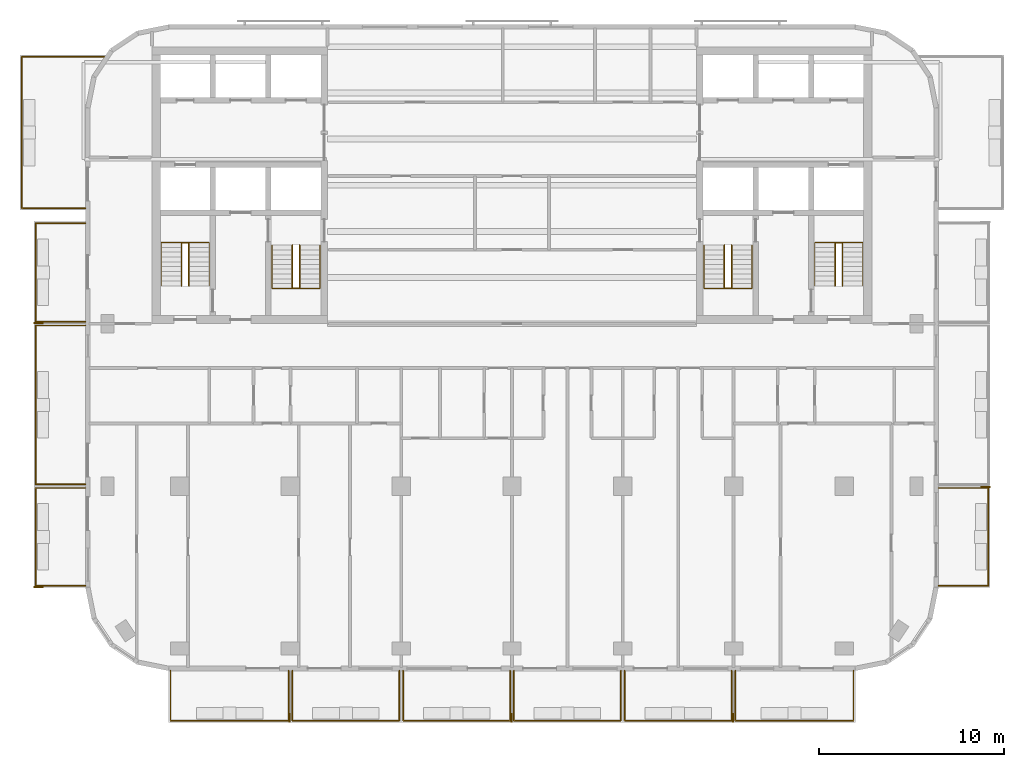
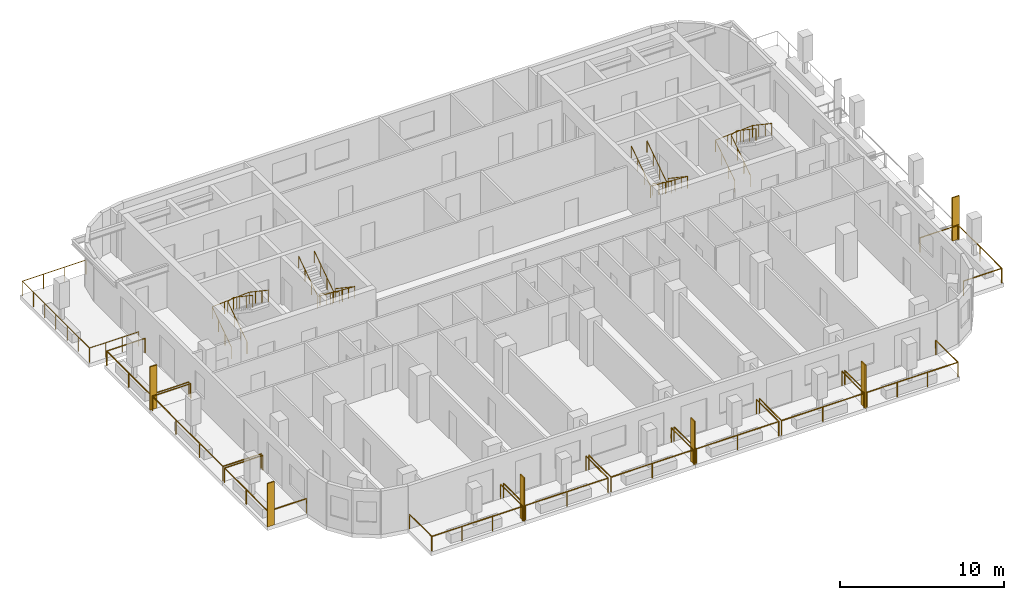
# One storey, part 9 of 11: 19 railings, 6 shading devices.
"""IFC4 building model written with IfcOpenShell, lengths in metres."""

import ifcopenshell
import ifcopenshell.guid

model = None  # the IFC model being written
_history = None  # IfcOwnerHistory: only IFC2X3 demands one
_inside = {}  # id of a spatial element -> (the spatial element, [elements in it])
_under = {}  # id of a project, library or spatial element -> (it, [spatial elements below it])
_declared = {}  # id of a project -> (the project, [libraries it declares])
_typed = {}  # id of a type object -> (the type object, [elements of that type])
_made_of = {}  # id of a material, layer set ... -> (it, [elements and type objects made of it])


def new_model(schema):
    """Start an empty IFC model of exactly this schema.

    Asked for "IFC4X3", IfcOpenShell would pick the latest addendum, in which some entities
    have other attributes; the version numbers below select the first issue.
    IFC2X3 requires an IfcOwnerHistory on every rooted entity: one is made here for all.
    """
    global model, _history
    if schema == "IFC4X3":
        model = ifcopenshell.file(schema_version=(4, 3, 0, 0))
    else:
        model = ifcopenshell.file(schema=schema)
    _inside.clear()
    _under.clear()
    _declared.clear()
    _typed.clear()
    _made_of.clear()
    _history = None
    if model.schema == "IFC2X3":
        org = make("IfcOrganization", Name="unknown")
        user = make(
            "IfcPersonAndOrganization",
            ThePerson=make("IfcPerson", FamilyName="unknown"),
            TheOrganization=org,
        )
        app = make(
            "IfcApplication",
            ApplicationDeveloper=org,
            Version="unknown",
            ApplicationFullName="unknown",
            ApplicationIdentifier="unknown",
        )
        _history = make(
            "IfcOwnerHistory",
            OwningUser=user,
            OwningApplication=app,
            ChangeAction="ADDED",
            CreationDate=0,
        )
    return model


def make(cls, **values):
    """One entity of the class cls with the attributes given. An attribute that is None is left unset."""
    return model.create_entity(
        cls, **{name: value for name, value in values.items() if value is not None}
    )


def rooted(cls, **values):
    """An entity with a GlobalId (a new one), such as an element, a storey or a relation."""
    return make(cls, GlobalId=ifcopenshell.guid.new(), OwnerHistory=_history, **values)


def si_unit(unit_type, name, prefix=None):
    """IfcSIUnit, for example si_unit("LENGTHUNIT", "METRE", prefix="MILLI")."""
    return make("IfcSIUnit", UnitType=unit_type, Prefix=prefix, Name=name)


def assignment(units):
    """IfcUnitAssignment: the units of a project."""
    return None if units is None else make("IfcUnitAssignment", Units=units)


def point(xyz):
    """IfcCartesianPoint."""
    return None if xyz is None else make("IfcCartesianPoint", Coordinates=xyz)


def direction(xyz):
    """IfcDirection."""
    return None if xyz is None else make("IfcDirection", DirectionRatios=xyz)


def frame(location, z_axis=None, x_axis=None):
    """IfcAxis2Placement3D, a coordinate frame: its origin and axes. An axis left out is left unset."""
    return make(
        "IfcAxis2Placement3D",
        Location=point(location),
        Axis=direction(z_axis),
        RefDirection=direction(x_axis),
    )


def frame_2d(location, x_axis=None):
    """IfcAxis2Placement2D, a coordinate frame in the plane: its origin and x axis."""
    return make(
        "IfcAxis2Placement2D", Location=point(location), RefDirection=direction(x_axis)
    )


def origin():
    """The frame at (0, 0, 0) with its axes left unset."""
    return frame((0.0, 0.0, 0.0))


def origin_2d():
    """The frame at (0, 0) in the plane with its x axis left unset."""
    return frame_2d((0.0, 0.0))


def place(relative_to, where):
    """IfcLocalPlacement: puts the frame where relative to a parent placement (None: the world)."""
    return make(
        "IfcLocalPlacement", PlacementRelTo=relative_to, RelativePlacement=where
    )


def context(
    kind, dimensions, precision=None, world=None, true_north=None, identifier=None
):
    """IfcGeometricRepresentationContext, for example the 3D "Model" context."""
    return make(
        "IfcGeometricRepresentationContext",
        ContextIdentifier=identifier,
        ContextType=kind,
        CoordinateSpaceDimension=dimensions,
        Precision=precision,
        WorldCoordinateSystem=world,
        TrueNorth=true_north,
    )


def subcontext(parent, identifier, kind, view, scale=None):
    """IfcGeometricRepresentationSubContext, for example "Body" below "Model"."""
    return make(
        "IfcGeometricRepresentationSubContext",
        ContextIdentifier=identifier,
        ContextType=kind,
        ParentContext=parent,
        TargetScale=scale,
        TargetView=view,
    )


def project(units=None, contexts=None):
    """IfcProject with its units and contexts."""
    return rooted(
        "IfcProject",
        Name="project",
        RepresentationContexts=contexts,
        UnitsInContext=assignment(units),
    )


def spatial(cls, under=None, at=None, **own):
    """A site, building, storey or space (cls), placed at a placement, below another one or the project."""
    s = rooted(cls, ObjectPlacement=at, **own)
    if under is not None:
        _under.setdefault(under.id(), (under, []))[1].append(s)
    return s


def profile(cls, at=None, kind="AREA", **sizes):
    """A parametric profile (cls). Its sizes go by their IFC names, for example OverallWidth=200.0."""
    return make(cls, ProfileType=kind, Position=at, **sizes)


def rectangle(**sizes):
    """IfcRectangleProfileDef."""
    return profile("IfcRectangleProfileDef", **sizes)


def circle(**sizes):
    """IfcCircleProfileDef."""
    return profile("IfcCircleProfileDef", **sizes)


def extrude(swept, where, along, depth):
    """IfcExtrudedAreaSolid: the profile swept, set in the frame where, extruded along a direction by depth."""
    return make(
        "IfcExtrudedAreaSolid",
        SweptArea=swept,
        Position=where,
        ExtrudedDirection=direction(along),
        Depth=depth,
    )


def shape(context_of_items, identifier, shape_type, items):
    """IfcShapeRepresentation: the items that make up one representation, for example the "Body"."""
    return make(
        "IfcShapeRepresentation",
        ContextOfItems=context_of_items,
        RepresentationIdentifier=identifier,
        RepresentationType=shape_type,
        Items=items,
    )


def material(Name=None, Category=None):
    """IfcMaterial."""
    return make("IfcMaterial", Name=Name, Category=Category)


def layer(
    of_material, thickness, ventilated=None, Name=None, Category=None, Priority=None
):
    """IfcMaterialLayer: one layer of a wall or slab, of a material (None: an air gap)."""
    return make(
        "IfcMaterialLayer",
        Material=of_material,
        LayerThickness=thickness,
        IsVentilated=ventilated,
        Name=Name,
        Category=Category,
        Priority=Priority,
    )


def layer_set(layers, Name=None):
    """IfcMaterialLayerSet."""
    return make("IfcMaterialLayerSet", MaterialLayers=layers, LayerSetName=Name)


def made_of(thing, what):
    """Note that an element or type object is made of a material, layer set ...; save() writes the relation."""
    if what is not None:
        _made_of.setdefault(what.id(), (what, []))[1].append(thing)
    return thing


def type_object(cls, material=None, **own):
    """A type object (cls), such as IfcWallType, which elements share."""
    return made_of(rooted(cls, **own), material)


def element(
    cls,
    number,
    at=None,
    inside=None,
    cuts=None,
    type_object=None,
    material=None,
    context=None,
    identifier="Body",
    shape_type=None,
    held_by="IfcProductDefinitionShape",
    body=None,
    shapes=None,
    **own,
):
    """One element of the class cls, such as IfcWall. Its Tag is "e" and its number.

    at: its placement. inside: the storey or other place that contains it. cuts: it is an
    opening in that element (IfcRelVoidsElement). A single representation is given by context,
    identifier, shape_type and body (its items); several are given by shapes. held_by: the class
    of the entity that holds the representations. save() writes the other relations.
    """
    e = rooted(cls, Tag="e%d" % number, ObjectPlacement=at, **own)
    if body is not None:
        shapes = [shape(context, identifier, shape_type, body)]
    if shapes is not None:
        e.Representation = make(held_by, Representations=shapes)
    if inside is not None:
        _inside.setdefault(inside.id(), (inside, []))[1].append(e)
    if cuts is not None:
        rooted(
            "IfcRelVoidsElement", RelatingBuildingElement=cuts, RelatedOpeningElement=e
        )
    if type_object is not None:
        _typed.setdefault(type_object.id(), (type_object, []))[1].append(e)
    return made_of(e, material)


def aggregate(whole, parts):
    """IfcRelAggregates: a whole, such as a stair, and the parts it consists of."""
    return rooted("IfcRelAggregates", RelatingObject=whole, RelatedObjects=parts)


def save(model, path):
    """Write the relations noted so far, then the file.

    IfcRelAggregates (storeys below a building ...), IfcRelContainedInSpatialStructure (elements
    in a storey), IfcRelDefinesByType, IfcRelAssociatesMaterial and IfcRelDeclares: one each for
    every whole, place, type object, material and project.
    """
    for whole, parts in _under.values():
        aggregate(whole, parts)
    for where, things in _inside.values():
        rooted(
            "IfcRelContainedInSpatialStructure",
            RelatedElements=things,
            RelatingStructure=where,
        )
    for kind, things in _typed.values():
        rooted("IfcRelDefinesByType", RelatedObjects=things, RelatingType=kind)
    for what, things in _made_of.values():
        rooted("IfcRelAssociatesMaterial", RelatedObjects=things, RelatingMaterial=what)
    for by, libraries in _declared.values():
        rooted("IfcRelDeclares", RelatingContext=by, RelatedDefinitions=libraries)
    model.write(path)


model = new_model("IFC4")

# Units and contexts
model_context = context("Model", 3, precision=1e-05, world=origin(), true_north=direction((0.0, 1.0)))
body_context = subcontext(model_context, "Body", "Model", "MODEL_VIEW")
ifc_project = project(units=[si_unit("LENGTHUNIT", "METRE"), si_unit("AREAUNIT", "SQUARE_METRE"), si_unit("VOLUMEUNIT", "CUBIC_METRE"), si_unit("PLANEANGLEUNIT", "RADIAN"), si_unit("MASSUNIT", "GRAM", prefix="KILO")], contexts=[model_context])

# Site, building, storey
site_placement = place(None, origin())
site = spatial("IfcSite", under=ifc_project, at=site_placement, CompositionType="ELEMENT")
building_placement = place(site_placement, origin())
building = spatial("IfcBuilding", under=site, at=building_placement, Name="Torana Hotel and Residences", CompositionType="ELEMENT")
storey_placement = place(building_placement, frame((0.0, 0.0, 273.60009765625)))
storey = spatial("IfcBuildingStorey", under=building, at=storey_placement, Name="L72", CompositionType="ELEMENT", Elevation=273.60009765625)

# Shading devices
ifc_material_1 = material(Name="Black powder coated aluminium", Category="aluminium")
ifc_layer = layer(ifc_material_1, 0.080078125)
ifc_layer_set = layer_set([ifc_layer], Name="FN1 VERTICAL FIN 500x80")
shading_device_type = type_object("IfcShadingDeviceType", Name="FN1 VERTICAL FIN 500x80", PredefinedType="USERDEFINED", material=ifc_layer_set)
for number, where, z_axis, x_axis, name in (
    (1, (-12.0400390625, -36.35009765625, 0.0), (0.0, 0.0, 1.0), (-1.0, 0.0, 0.0), "Fin 01"),
    (2, (-0.0400390625, -36.35009765625, 0.0), (0.0, 0.0, 1.0), (-1.0, 0.0, 0.0), "Fin 03"),
    (3, (11.9599609375, -36.35009765625, 0.0), (0.0, 0.0, 1.0), (-1.0, 0.0, 0.0), "Fin 05"),
    (4, (-25.64990234375, -29.260009765625, 0.0), (0.0, 0.0, 1.0), (0.0, 1.0, 0.0), "Fin 07"),
    (5, (-25.64990234375, -14.9599609375, 0.0), (0.0, 0.0, 1.0), (0.0, 1.0, 0.0), "Fin 09"),
    (6, (25.64990234375, -23.840087890625, 0.0), (0.0, 0.0, 1.0), (0.0, -1.0, 0.0), "Fin 11"),
):
    element("IfcShadingDevice", number, at=place(storey_placement, frame(where, z_axis=z_axis, x_axis=x_axis)), inside=storey, type_object=shading_device_type, Name=name, ObjectType="FIN", PredefinedType="USERDEFINED", context=body_context, shape_type="SweptSolid", body=[
        extrude(rectangle(XDim=0.080078125, YDim=0.5, at=origin_2d()), origin(), (0.0, 0.0, 1.0), 3.219970703125),
    ])

# Railings
ifc_material_2 = material(Name="Laminated glass balustrade with black handrail", Category="glass")
railing_type_1 = type_object("IfcRailingType", Name="GR1 BALCONY GUARD 1100 GLASS", PredefinedType="GUARDRAIL", material=ifc_material_2)
railing_1_placement = place(storey_placement, frame((-12.10009765625, -33.800048828125, 0.0)))
element("IfcRailing", 7, at=railing_1_placement, inside=storey, type_object=railing_type_1, Name="Balcony guard 01", PredefinedType="GUARDRAIL", context=body_context, shape_type="SweptSolid", body=[
    extrude(circle(Radius=0.02392578125, at=origin_2d()), frame((0.0, 0.0, 1.076171875), z_axis=(0.0, -1.0, 0.0), x_axis=(1.0, 0.0, 0.0)), (0.0, 0.0, 1.0), 2.699951171875),
    extrude(circle(Radius=0.02392578125, at=origin_2d()), frame((0.0, -2.699951171875, 1.076171875), z_axis=(-1.0, 0.0, 0.0), x_axis=(0.0, -1.0, 0.0)), (0.0, 0.0, 1.0), 6.39990234375),
    extrude(circle(Radius=0.02392578125, at=origin_2d()), frame((-6.39990234375, -2.699951171875, 1.076171875), z_axis=(0.0, 1.0, 0.0), x_axis=(-1.0, 0.0, 0.0)), (0.0, 0.0, 1.0), 2.699951171875),
    extrude(circle(Radius=0.02099609375, at=origin_2d()), origin(), (0.0, 0.0, 1.0), 1.052001953125),
    extrude(circle(Radius=0.02099609375, at=origin_2d()), frame((0.0, -2.699951171875, 0.0)), (0.0, 0.0, 1.0), 1.052001953125),
    extrude(circle(Radius=0.02099609375, at=origin_2d()), frame((-2.13330078125, -2.699951171875, 0.0)), (0.0, 0.0, 1.0), 1.052001953125),
    extrude(circle(Radius=0.02099609375, at=origin_2d()), frame((-4.2666015625, -2.699951171875, 0.0)), (0.0, 0.0, 1.0), 1.052001953125),
    extrude(circle(Radius=0.02099609375, at=origin_2d()), frame((-6.39990234375, -2.699951171875, 0.0)), (0.0, 0.0, 1.0), 1.052001953125),
    extrude(circle(Radius=0.02099609375, at=origin_2d()), frame((-6.39990234375, 0.0, 0.0)), (0.0, 0.0, 1.0), 1.052001953125),
])
for number, where, name in (
    (8, (-6.10009765625, -33.800048828125, 0.0), "Balcony guard 02"),
    (9, (-0.10009765625, -33.800048828125, 0.0), "Balcony guard 03"),
    (10, (5.89990234375, -33.800048828125, 0.0), "Balcony guard 04"),
    (11, (11.89990234375, -33.800048828125, 0.0), "Balcony guard 05"),
):
    element("IfcRailing", number, at=place(storey_placement, frame(where)), inside=storey, type_object=railing_type_1, Name=name, PredefinedType="GUARDRAIL", context=body_context, shape_type="SweptSolid", body=[
        extrude(circle(Radius=0.02392578125, at=origin_2d()), frame((0.0, 0.0, 1.076171875), z_axis=(0.0, -1.0, 0.0), x_axis=(1.0, 0.0, 0.0)), (0.0, 0.0, 1.0), 2.699951171875),
        extrude(circle(Radius=0.02392578125, at=origin_2d()), frame((0.0, -2.699951171875, 1.076171875), z_axis=(-1.0, 0.0, 0.0), x_axis=(0.0, -1.0, 0.0)), (0.0, 0.0, 1.0), 5.7998046875),
        extrude(circle(Radius=0.02392578125, at=origin_2d()), frame((-5.7998046875, -2.699951171875, 1.076171875), z_axis=(0.0, 1.0, 0.0), x_axis=(-1.0, 0.0, 0.0)), (0.0, 0.0, 1.0), 2.699951171875),
        extrude(circle(Radius=0.02099609375, at=origin_2d()), origin(), (0.0, 0.0, 1.0), 1.052001953125),
        extrude(circle(Radius=0.02099609375, at=origin_2d()), frame((0.0, -2.699951171875, 0.0)), (0.0, 0.0, 1.0), 1.052001953125),
        extrude(circle(Radius=0.02099609375, at=origin_2d()), frame((-2.89990234375, -2.699951171875, 0.0)), (0.0, 0.0, 1.0), 1.052001953125),
        extrude(circle(Radius=0.02099609375, at=origin_2d()), frame((-5.7998046875, -2.699951171875, 0.0)), (0.0, 0.0, 1.0), 1.052001953125),
        extrude(circle(Radius=0.02099609375, at=origin_2d()), frame((-5.7998046875, 0.0, 0.0)), (0.0, 0.0, 1.0), 1.052001953125),
    ])
railing_2_placement = place(storey_placement, frame((18.5, -33.800048828125, 0.0)))
element("IfcRailing", 12, at=railing_2_placement, inside=storey, type_object=railing_type_1, Name="Balcony guard 06", PredefinedType="GUARDRAIL", context=body_context, shape_type="SweptSolid", body=[
    extrude(circle(Radius=0.02392578125, at=origin_2d()), frame((0.0, 0.0, 1.076171875), z_axis=(0.0, -1.0, 0.0), x_axis=(1.0, 0.0, 0.0)), (0.0, 0.0, 1.0), 2.699951171875),
    extrude(circle(Radius=0.02392578125, at=origin_2d()), frame((0.0, -2.699951171875, 1.076171875), z_axis=(-1.0, 0.0, 0.0), x_axis=(0.0, -1.0, 0.0)), (0.0, 0.0, 1.0), 6.39990234375),
    extrude(circle(Radius=0.02392578125, at=origin_2d()), frame((-6.39990234375, -2.699951171875, 1.076171875), z_axis=(0.0, 1.0, 0.0), x_axis=(-1.0, 0.0, 0.0)), (0.0, 0.0, 1.0), 2.699951171875),
    extrude(circle(Radius=0.02099609375, at=origin_2d()), origin(), (0.0, 0.0, 1.0), 1.052001953125),
    extrude(circle(Radius=0.02099609375, at=origin_2d()), frame((0.0, -2.699951171875, 0.0)), (0.0, 0.0, 1.0), 1.052001953125),
    extrude(circle(Radius=0.02099609375, at=origin_2d()), frame((-2.13330078125, -2.699951171875, 0.0)), (0.0, 0.0, 1.0), 1.052001953125),
    extrude(circle(Radius=0.02099609375, at=origin_2d()), frame((-4.2666015625, -2.699951171875, 0.0)), (0.0, 0.0, 1.0), 1.052001953125),
    extrude(circle(Radius=0.02099609375, at=origin_2d()), frame((-6.39990234375, -2.699951171875, 0.0)), (0.0, 0.0, 1.0), 1.052001953125),
    extrude(circle(Radius=0.02099609375, at=origin_2d()), frame((-6.39990234375, 0.0, 0.0)), (0.0, 0.0, 1.0), 1.052001953125),
])
railing_3_placement = place(storey_placement, frame((-23.10009765625, -29.199951171875, 0.0)))
element("IfcRailing", 13, at=railing_3_placement, inside=storey, type_object=railing_type_1, Name="Balcony guard 07", PredefinedType="GUARDRAIL", context=body_context, shape_type="SweptSolid", body=[
    extrude(circle(Radius=0.02392578125, at=origin_2d()), frame((0.0, 0.0, 1.076171875), z_axis=(-1.0, 0.0, 0.0), x_axis=(0.0, -1.0, 0.0)), (0.0, 0.0, 1.0), 2.699951171875),
    extrude(circle(Radius=0.02392578125, at=origin_2d()), frame((-2.699951171875, 0.0, 1.076171875), z_axis=(0.0, 1.0, 0.0), x_axis=(-1.0, 0.0, 0.0)), (0.0, 0.0, 1.0), 5.300048828125),
    extrude(circle(Radius=0.02392578125, at=origin_2d()), frame((-2.699951171875, 5.300048828125, 1.076171875), z_axis=(1.0, 0.0, 0.0), x_axis=(0.0, 1.0, 0.0)), (0.0, 0.0, 1.0), 2.699951171875),
    extrude(circle(Radius=0.02099609375, at=origin_2d()), origin(), (0.0, 0.0, 1.0), 1.052001953125),
    extrude(circle(Radius=0.02099609375, at=origin_2d()), frame((-2.699951171875, 0.0, 0.0)), (0.0, 0.0, 1.0), 1.052001953125),
    extrude(circle(Radius=0.02099609375, at=origin_2d()), frame((-2.699951171875, 2.64990234375, 0.0)), (0.0, 0.0, 1.0), 1.052001953125),
    extrude(circle(Radius=0.02099609375, at=origin_2d()), frame((-2.699951171875, 5.300048828125, 0.0)), (0.0, 0.0, 1.0), 1.052001953125),
    extrude(circle(Radius=0.02099609375, at=origin_2d()), frame((0.0, 5.300048828125, 0.0)), (0.0, 0.0, 1.0), 1.052001953125),
])
railing_4_placement = place(storey_placement, frame((-23.10009765625, -23.699951171875, 0.0)))
element("IfcRailing", 14, at=railing_4_placement, inside=storey, type_object=railing_type_1, Name="Balcony guard 08", PredefinedType="GUARDRAIL", context=body_context, shape_type="SweptSolid", body=[
    extrude(circle(Radius=0.02392578125, at=origin_2d()), frame((0.0, 0.0, 1.076171875), z_axis=(-1.0, 0.0, 0.0), x_axis=(0.0, -1.0, 0.0)), (0.0, 0.0, 1.0), 2.699951171875),
    extrude(circle(Radius=0.02392578125, at=origin_2d()), frame((-2.699951171875, 0.0, 1.076171875), z_axis=(0.0, 1.0, 0.0), x_axis=(-1.0, 0.0, 0.0)), (0.0, 0.0, 1.0), 8.599853515625),
    extrude(circle(Radius=0.02392578125, at=origin_2d()), frame((-2.699951171875, 8.599853515625, 1.076171875), z_axis=(1.0, 0.0, 0.0), x_axis=(0.0, 1.0, 0.0)), (0.0, 0.0, 1.0), 2.699951171875),
    extrude(circle(Radius=0.02099609375, at=origin_2d()), origin(), (0.0, 0.0, 1.0), 1.052001953125),
    extrude(circle(Radius=0.02099609375, at=origin_2d()), frame((-2.699951171875, 0.0, 0.0)), (0.0, 0.0, 1.0), 1.052001953125),
    extrude(circle(Radius=0.02099609375, at=origin_2d()), frame((-2.699951171875, 2.86669921875, 0.0)), (0.0, 0.0, 1.0), 1.052001953125),
    extrude(circle(Radius=0.02099609375, at=origin_2d()), frame((-2.699951171875, 5.733154296875, 0.0)), (0.0, 0.0, 1.0), 1.052001953125),
    extrude(circle(Radius=0.02099609375, at=origin_2d()), frame((-2.699951171875, 8.599853515625, 0.0)), (0.0, 0.0, 1.0), 1.052001953125),
    extrude(circle(Radius=0.02099609375, at=origin_2d()), frame((0.0, 8.599853515625, 0.0)), (0.0, 0.0, 1.0), 1.052001953125),
])
railing_5_placement = place(storey_placement, frame((-23.10009765625, -14.89990234375, 0.0)))
element("IfcRailing", 15, at=railing_5_placement, inside=storey, type_object=railing_type_1, Name="Balcony guard 09", PredefinedType="GUARDRAIL", context=body_context, shape_type="SweptSolid", body=[
    extrude(circle(Radius=0.02392578125, at=origin_2d()), frame((0.0, 0.0, 1.076171875), z_axis=(-1.0, 0.0, 0.0), x_axis=(0.0, -1.0, 0.0)), (0.0, 0.0, 1.0), 2.699951171875),
    extrude(circle(Radius=0.02392578125, at=origin_2d()), frame((-2.699951171875, 0.0, 1.076171875), z_axis=(0.0, 1.0, 0.0), x_axis=(-1.0, 0.0, 0.0)), (0.0, 0.0, 1.0), 5.349853515625),
    extrude(circle(Radius=0.02392578125, at=origin_2d()), frame((-2.699951171875, 5.349853515625, 1.076171875), z_axis=(1.0, 0.0, 0.0), x_axis=(0.0, 1.0, 0.0)), (0.0, 0.0, 1.0), 2.699951171875),
    extrude(circle(Radius=0.02099609375, at=origin_2d()), origin(), (0.0, 0.0, 1.0), 1.052001953125),
    extrude(circle(Radius=0.02099609375, at=origin_2d()), frame((-2.699951171875, 0.0, 0.0)), (0.0, 0.0, 1.0), 1.052001953125),
    extrude(circle(Radius=0.02099609375, at=origin_2d()), frame((-2.699951171875, 2.6748046875, 0.0)), (0.0, 0.0, 1.0), 1.052001953125),
    extrude(circle(Radius=0.02099609375, at=origin_2d()), frame((-2.699951171875, 5.349853515625, 0.0)), (0.0, 0.0, 1.0), 1.052001953125),
    extrude(circle(Radius=0.02099609375, at=origin_2d()), frame((0.0, 5.349853515625, 0.0)), (0.0, 0.0, 1.0), 1.052001953125),
])
railing_6_placement = place(storey_placement, frame((-23.10009765625, -8.75, 0.0)))
element("IfcRailing", 16, at=railing_6_placement, inside=storey, type_object=railing_type_1, Name="Balcony guard 10", PredefinedType="GUARDRAIL", context=body_context, shape_type="SweptSolid", body=[
    extrude(circle(Radius=0.02392578125, at=origin_2d()), frame((0.0, 0.0, 1.076171875), z_axis=(-1.0, 0.0, 0.0), x_axis=(0.0, -1.0, 0.0)), (0.0, 0.0, 1.0), 3.449951171875),
    extrude(circle(Radius=0.02392578125, at=origin_2d()), frame((-3.449951171875, 0.0, 1.076171875), z_axis=(0.0, 1.0, 0.0), x_axis=(-1.0, 0.0, 0.0)), (0.0, 0.0, 1.0), 8.199951171875),
    extrude(circle(Radius=0.02392578125, at=origin_2d()), frame((-3.449951171875, 8.199951171875, 1.076171875), z_axis=(1.0, 0.0, 0.0), x_axis=(0.0, 1.0, 0.0)), (0.0, 0.0, 1.0), 4.479248046875),
    extrude(circle(Radius=0.02099609375, at=origin_2d()), origin(), (0.0, 0.0, 1.0), 1.052001953125),
    extrude(circle(Radius=0.02099609375, at=origin_2d()), frame((-1.14990234375, 0.0, 0.0)), (0.0, 0.0, 1.0), 1.052001953125),
    extrude(circle(Radius=0.02099609375, at=origin_2d()), frame((-2.300048828125, 0.0, 0.0)), (0.0, 0.0, 1.0), 1.052001953125),
    extrude(circle(Radius=0.02099609375, at=origin_2d()), frame((-3.449951171875, 0.0, 0.0)), (0.0, 0.0, 1.0), 1.052001953125),
    extrude(circle(Radius=0.02099609375, at=origin_2d()), frame((-3.449951171875, 1.36669921875, 0.0)), (0.0, 0.0, 1.0), 1.052001953125),
    extrude(circle(Radius=0.02099609375, at=origin_2d()), frame((-3.449951171875, 2.7333984375, 0.0)), (0.0, 0.0, 1.0), 1.052001953125),
    extrude(circle(Radius=0.02099609375, at=origin_2d()), frame((-3.449951171875, 4.10009765625, 0.0)), (0.0, 0.0, 1.0), 1.052001953125),
    extrude(circle(Radius=0.02099609375, at=origin_2d()), frame((-3.449951171875, 5.466552734375, 0.0)), (0.0, 0.0, 1.0), 1.052001953125),
    extrude(circle(Radius=0.02099609375, at=origin_2d()), frame((-3.449951171875, 6.833251953125, 0.0)), (0.0, 0.0, 1.0), 1.052001953125),
    extrude(circle(Radius=0.02099609375, at=origin_2d()), frame((-3.449951171875, 8.199951171875, 0.0)), (0.0, 0.0, 1.0), 1.052001953125),
    extrude(circle(Radius=0.02099609375, at=origin_2d()), frame((-1.956787109375, 8.199951171875, 0.0)), (0.0, 0.0, 1.0), 1.052001953125),
    extrude(circle(Radius=0.02099609375, at=origin_2d()), frame((-0.4638671875, 8.199951171875, 0.0)), (0.0, 0.0, 1.0), 1.052001953125),
    extrude(circle(Radius=0.02099609375, at=origin_2d()), frame((1.029296875, 8.199951171875, 0.0)), (0.0, 0.0, 1.0), 1.052001953125),
])
railing_7_placement = place(storey_placement, frame((23.10009765625, -23.89990234375, 0.0)))
element("IfcRailing", 17, at=railing_7_placement, inside=storey, type_object=railing_type_1, Name="Balcony guard 11", PredefinedType="GUARDRAIL", context=body_context, shape_type="SweptSolid", body=[
    extrude(circle(Radius=0.02392578125, at=origin_2d()), frame((0.0, 0.0, 1.076171875), z_axis=(1.0, 0.0, 0.0), x_axis=(0.0, 1.0, 0.0)), (0.0, 0.0, 1.0), 2.699951171875),
    extrude(circle(Radius=0.02392578125, at=origin_2d()), frame((2.699951171875, 0.0, 1.076171875), z_axis=(0.0, -1.0, 0.0), x_axis=(1.0, 0.0, 0.0)), (0.0, 0.0, 1.0), 5.300048828125),
    extrude(circle(Radius=0.02392578125, at=origin_2d()), frame((2.699951171875, -5.300048828125, 1.076171875), z_axis=(-1.0, 0.0, 0.0), x_axis=(0.0, -1.0, 0.0)), (0.0, 0.0, 1.0), 2.699951171875),
    extrude(circle(Radius=0.02099609375, at=origin_2d()), origin(), (0.0, 0.0, 1.0), 1.052001953125),
    extrude(circle(Radius=0.02099609375, at=origin_2d()), frame((2.699951171875, 0.0, 0.0)), (0.0, 0.0, 1.0), 1.052001953125),
    extrude(circle(Radius=0.02099609375, at=origin_2d()), frame((2.699951171875, -2.64990234375, 0.0)), (0.0, 0.0, 1.0), 1.052001953125),
    extrude(circle(Radius=0.02099609375, at=origin_2d()), frame((2.699951171875, -5.300048828125, 0.0)), (0.0, 0.0, 1.0), 1.052001953125),
    extrude(circle(Radius=0.02099609375, at=origin_2d()), frame((0.0, -5.300048828125, 0.0)), (0.0, 0.0, 1.0), 1.052001953125),
])
ifc_material_3 = material(Name="Stainless steel 316", Category="steel")
railing_type_2 = type_object("IfcRailingType", Name="STAIR HANDRAIL HR1 900", PredefinedType="HANDRAIL", material=ifc_material_3)
railing_8_placement = place(storey_placement, frame((-10.39990234375, -10.75, 0.1748046875)))
element("IfcRailing", 18, at=railing_8_placement, inside=storey, type_object=railing_type_2, Name="Handrail ST1 L72 O1", PredefinedType="HANDRAIL", context=body_context, shape_type="SweptSolid", body=[
    extrude(circle(Radius=0.02392578125, at=origin_2d()), frame((0.0, 0.0, 0.8759765625), z_axis=(0.0, -0.829565388462, 0.558409586474), x_axis=(1.0, 0.0, 0.0)), (0.0, 0.0, 1.0), 2.82080078125),
    extrude(circle(Radius=0.02392578125, at=origin_2d()), frame((0.0, -2.340087890625, 2.451171875), z_axis=(-0.997747692642, 0.0, 0.067078624219), x_axis=(0.0, -1.0, 0.0)), (0.0, 0.0, 1.0), 2.60595703125),
    extrude(circle(Radius=0.02392578125, at=origin_2d()), frame((-2.60009765625, -2.340087890625, 2.6259765625), z_axis=(0.0, 0.829565388462, 0.558409586474), x_axis=(-1.0, 0.0, 0.0)), (0.0, 0.0, 1.0), 2.82080078125),
    extrude(circle(Radius=0.02099609375, at=origin_2d()), origin(), (0.0, 0.0, 1.0), 0.851806640625),
    extrude(circle(Radius=0.02099609375, at=origin_2d()), frame((0.0, -0.780029296875, 0.525146484375)), (0.0, 0.0, 1.0), 0.851806640625),
    extrude(circle(Radius=0.02099609375, at=origin_2d()), frame((0.0, -1.56005859375, 1.050048828125)), (0.0, 0.0, 1.0), 0.851806640625),
    extrude(circle(Radius=0.02099609375, at=origin_2d()), frame((0.0, -2.340087890625, 1.5751953125)), (0.0, 0.0, 1.0), 0.851806640625),
    extrude(circle(Radius=0.02099609375, at=origin_2d()), frame((-0.86669921875, -2.340087890625, 1.633544921875)), (0.0, 0.0, 1.0), 0.851806640625),
    extrude(circle(Radius=0.02099609375, at=origin_2d()), frame((-1.7333984375, -2.340087890625, 1.691650390625)), (0.0, 0.0, 1.0), 0.851806640625),
    extrude(circle(Radius=0.02099609375, at=origin_2d()), frame((-2.60009765625, -2.340087890625, 1.75)), (0.0, 0.0, 1.0), 0.851806640625),
    extrude(circle(Radius=0.02099609375, at=origin_2d()), frame((-2.60009765625, -1.56005859375, 2.275146484375)), (0.0, 0.0, 1.0), 0.851806640625),
    extrude(circle(Radius=0.02099609375, at=origin_2d()), frame((-2.60009765625, -0.780029296875, 2.800048828125)), (0.0, 0.0, 1.0), 0.851806640625),
    extrude(circle(Radius=0.02099609375, at=origin_2d()), frame((-2.60009765625, 0.0, 3.3251953125)), (0.0, 0.0, 1.0), 0.851806640625),
])
railing_9_placement = place(storey_placement, frame((-11.5, -10.75, 0.1748046875)))
element("IfcRailing", 19, at=railing_9_placement, inside=storey, type_object=railing_type_2, Name="Handrail ST1 L72 I1", PredefinedType="HANDRAIL", context=body_context, shape_type="SweptSolid", body=[
    extrude(circle(Radius=0.02392578125, at=origin_2d()), frame((0.0, 0.0, 0.8759765625), z_axis=(0.0, -0.829565388462, 0.558409586474), x_axis=(1.0, 0.0, 0.0)), (0.0, 0.0, 1.0), 2.82080078125),
    extrude(circle(Radius=0.02392578125, at=origin_2d()), frame((0.0, -2.340087890625, 2.451171875), z_axis=(-0.916285673175, 0.0, 0.400525361412), x_axis=(0.0, -1.0, 0.0)), (0.0, 0.0, 1.0), 0.4365234375),
    extrude(circle(Radius=0.02392578125, at=origin_2d()), frame((-0.39990234375, -2.340087890625, 2.6259765625), z_axis=(0.0, 0.829565388462, 0.558409586474), x_axis=(-1.0, 0.0, 0.0)), (0.0, 0.0, 1.0), 2.82080078125),
    extrude(circle(Radius=0.02099609375, at=origin_2d()), origin(), (0.0, 0.0, 1.0), 0.851806640625),
    extrude(circle(Radius=0.02099609375, at=origin_2d()), frame((0.0, -0.780029296875, 0.525146484375)), (0.0, 0.0, 1.0), 0.851806640625),
    extrude(circle(Radius=0.02099609375, at=origin_2d()), frame((0.0, -1.56005859375, 1.050048828125)), (0.0, 0.0, 1.0), 0.851806640625),
    extrude(circle(Radius=0.02099609375, at=origin_2d()), frame((0.0, -2.340087890625, 1.5751953125)), (0.0, 0.0, 1.0), 0.851806640625),
    extrude(circle(Radius=0.02099609375, at=origin_2d()), frame((-0.39990234375, -2.340087890625, 1.75)), (0.0, 0.0, 1.0), 0.851806640625),
    extrude(circle(Radius=0.02099609375, at=origin_2d()), frame((-0.39990234375, -1.56005859375, 2.275146484375)), (0.0, 0.0, 1.0), 0.851806640625),
    extrude(circle(Radius=0.02099609375, at=origin_2d()), frame((-0.39990234375, -0.780029296875, 2.800048828125)), (0.0, 0.0, 1.0), 0.851806640625),
    extrude(circle(Radius=0.02099609375, at=origin_2d()), frame((-0.39990234375, 0.0, 3.3251953125)), (0.0, 0.0, 1.0), 0.851806640625),
])
railing_10_placement = place(storey_placement, frame((-19.0, -12.949951171875, 0.1748046875)))
element("IfcRailing", 20, at=railing_10_placement, inside=storey, type_object=railing_type_2, Name="Handrail ST2 L72 O1", PredefinedType="HANDRAIL", context=body_context, shape_type="SweptSolid", body=[
    extrude(circle(Radius=0.02392578125, at=origin_2d()), frame((0.0, 0.0, 0.8759765625), z_axis=(0.0, 0.829538397957, 0.558449681095), x_axis=(-1.0, 0.0, 0.0)), (0.0, 0.0, 1.0), 2.820556640625),
    extrude(circle(Radius=0.02392578125, at=origin_2d()), frame((0.0, 2.33984375, 2.451171875), z_axis=(0.997747692642, 0.0, 0.067078624219), x_axis=(0.0, 1.0, 0.0)), (0.0, 0.0, 1.0), 2.60595703125),
    extrude(circle(Radius=0.02392578125, at=origin_2d()), frame((2.60009765625, 2.33984375, 2.6259765625), z_axis=(0.0, -0.829538397957, 0.558449681095), x_axis=(1.0, 0.0, 0.0)), (0.0, 0.0, 1.0), 2.820556640625),
    extrude(circle(Radius=0.02099609375, at=origin_2d()), origin(), (0.0, 0.0, 1.0), 0.851806640625),
    extrude(circle(Radius=0.02099609375, at=origin_2d()), frame((0.0, 0.780029296875, 0.525146484375)), (0.0, 0.0, 1.0), 0.851806640625),
    extrude(circle(Radius=0.02099609375, at=origin_2d()), frame((0.0, 1.559814453125, 1.050048828125)), (0.0, 0.0, 1.0), 0.851806640625),
    extrude(circle(Radius=0.02099609375, at=origin_2d()), frame((0.0, 2.33984375, 1.5751953125)), (0.0, 0.0, 1.0), 0.851806640625),
    extrude(circle(Radius=0.02099609375, at=origin_2d()), frame((0.86669921875, 2.33984375, 1.633544921875)), (0.0, 0.0, 1.0), 0.851806640625),
    extrude(circle(Radius=0.02099609375, at=origin_2d()), frame((1.7333984375, 2.33984375, 1.691650390625)), (0.0, 0.0, 1.0), 0.851806640625),
    extrude(circle(Radius=0.02099609375, at=origin_2d()), frame((2.60009765625, 2.33984375, 1.75)), (0.0, 0.0, 1.0), 0.851806640625),
    extrude(circle(Radius=0.02099609375, at=origin_2d()), frame((2.60009765625, 1.559814453125, 2.275146484375)), (0.0, 0.0, 1.0), 0.851806640625),
    extrude(circle(Radius=0.02099609375, at=origin_2d()), frame((2.60009765625, 0.780029296875, 2.800048828125)), (0.0, 0.0, 1.0), 0.851806640625),
    extrude(circle(Radius=0.02099609375, at=origin_2d()), frame((2.60009765625, 0.0, 3.3251953125)), (0.0, 0.0, 1.0), 0.851806640625),
])
railing_11_placement = place(storey_placement, frame((-17.89990234375, -12.949951171875, 0.1748046875)))
element("IfcRailing", 21, at=railing_11_placement, inside=storey, type_object=railing_type_2, Name="Handrail ST2 L72 I1", PredefinedType="HANDRAIL", context=body_context, shape_type="SweptSolid", body=[
    extrude(circle(Radius=0.02392578125, at=origin_2d()), frame((0.0, 0.0, 0.8759765625), z_axis=(0.0, 0.829538397957, 0.558449681095), x_axis=(-1.0, 0.0, 0.0)), (0.0, 0.0, 1.0), 2.820556640625),
    extrude(circle(Radius=0.02392578125, at=origin_2d()), frame((0.0, 2.33984375, 2.451171875), z_axis=(0.916285673175, 0.0, 0.400525361412), x_axis=(0.0, 1.0, 0.0)), (0.0, 0.0, 1.0), 0.4365234375),
    extrude(circle(Radius=0.02392578125, at=origin_2d()), frame((0.39990234375, 2.33984375, 2.6259765625), z_axis=(0.0, -0.829538397957, 0.558449681095), x_axis=(1.0, 0.0, 0.0)), (0.0, 0.0, 1.0), 2.820556640625),
    extrude(circle(Radius=0.02099609375, at=origin_2d()), origin(), (0.0, 0.0, 1.0), 0.851806640625),
    extrude(circle(Radius=0.02099609375, at=origin_2d()), frame((0.0, 0.780029296875, 0.525146484375)), (0.0, 0.0, 1.0), 0.851806640625),
    extrude(circle(Radius=0.02099609375, at=origin_2d()), frame((0.0, 1.559814453125, 1.050048828125)), (0.0, 0.0, 1.0), 0.851806640625),
    extrude(circle(Radius=0.02099609375, at=origin_2d()), frame((0.0, 2.33984375, 1.5751953125)), (0.0, 0.0, 1.0), 0.851806640625),
    extrude(circle(Radius=0.02099609375, at=origin_2d()), frame((0.39990234375, 2.33984375, 1.75)), (0.0, 0.0, 1.0), 0.851806640625),
    extrude(circle(Radius=0.02099609375, at=origin_2d()), frame((0.39990234375, 1.559814453125, 2.275146484375)), (0.0, 0.0, 1.0), 0.851806640625),
    extrude(circle(Radius=0.02099609375, at=origin_2d()), frame((0.39990234375, 0.780029296875, 2.800048828125)), (0.0, 0.0, 1.0), 0.851806640625),
    extrude(circle(Radius=0.02099609375, at=origin_2d()), frame((0.39990234375, 0.0, 3.3251953125)), (0.0, 0.0, 1.0), 0.851806640625),
])
railing_12_placement = place(storey_placement, frame((13.0, -10.75, 0.1748046875)))
element("IfcRailing", 22, at=railing_12_placement, inside=storey, type_object=railing_type_2, Name="Handrail ST3 L72 O1", PredefinedType="HANDRAIL", context=body_context, shape_type="SweptSolid", body=[
    extrude(circle(Radius=0.02392578125, at=origin_2d()), frame((0.0, 0.0, 0.8759765625), z_axis=(0.0, -0.829565388462, 0.558409586474), x_axis=(1.0, 0.0, 0.0)), (0.0, 0.0, 1.0), 2.82080078125),
    extrude(circle(Radius=0.02392578125, at=origin_2d()), frame((0.0, -2.340087890625, 2.451171875), z_axis=(-0.997747692642, 0.0, 0.067078624219), x_axis=(0.0, -1.0, 0.0)), (0.0, 0.0, 1.0), 2.60595703125),
    extrude(circle(Radius=0.02392578125, at=origin_2d()), frame((-2.60009765625, -2.340087890625, 2.6259765625), z_axis=(0.0, 0.829565388462, 0.558409586474), x_axis=(-1.0, 0.0, 0.0)), (0.0, 0.0, 1.0), 2.82080078125),
    extrude(circle(Radius=0.02099609375, at=origin_2d()), origin(), (0.0, 0.0, 1.0), 0.851806640625),
    extrude(circle(Radius=0.02099609375, at=origin_2d()), frame((0.0, -0.780029296875, 0.525146484375)), (0.0, 0.0, 1.0), 0.851806640625),
    extrude(circle(Radius=0.02099609375, at=origin_2d()), frame((0.0, -1.56005859375, 1.050048828125)), (0.0, 0.0, 1.0), 0.851806640625),
    extrude(circle(Radius=0.02099609375, at=origin_2d()), frame((0.0, -2.340087890625, 1.5751953125)), (0.0, 0.0, 1.0), 0.851806640625),
    extrude(circle(Radius=0.02099609375, at=origin_2d()), frame((-0.86669921875, -2.340087890625, 1.633544921875)), (0.0, 0.0, 1.0), 0.851806640625),
    extrude(circle(Radius=0.02099609375, at=origin_2d()), frame((-1.7333984375, -2.340087890625, 1.691650390625)), (0.0, 0.0, 1.0), 0.851806640625),
    extrude(circle(Radius=0.02099609375, at=origin_2d()), frame((-2.60009765625, -2.340087890625, 1.75)), (0.0, 0.0, 1.0), 0.851806640625),
    extrude(circle(Radius=0.02099609375, at=origin_2d()), frame((-2.60009765625, -1.56005859375, 2.275146484375)), (0.0, 0.0, 1.0), 0.851806640625),
    extrude(circle(Radius=0.02099609375, at=origin_2d()), frame((-2.60009765625, -0.780029296875, 2.800048828125)), (0.0, 0.0, 1.0), 0.851806640625),
    extrude(circle(Radius=0.02099609375, at=origin_2d()), frame((-2.60009765625, 0.0, 3.3251953125)), (0.0, 0.0, 1.0), 0.851806640625),
])
railing_13_placement = place(storey_placement, frame((11.89990234375, -10.75, 0.1748046875)))
element("IfcRailing", 23, at=railing_13_placement, inside=storey, type_object=railing_type_2, Name="Handrail ST3 L72 I1", PredefinedType="HANDRAIL", context=body_context, shape_type="SweptSolid", body=[
    extrude(circle(Radius=0.02392578125, at=origin_2d()), frame((0.0, 0.0, 0.8759765625), z_axis=(0.0, -0.829565388462, 0.558409586474), x_axis=(1.0, 0.0, 0.0)), (0.0, 0.0, 1.0), 2.82080078125),
    extrude(circle(Radius=0.02392578125, at=origin_2d()), frame((0.0, -2.340087890625, 2.451171875), z_axis=(-0.916285673175, 0.0, 0.400525361412), x_axis=(0.0, -1.0, 0.0)), (0.0, 0.0, 1.0), 0.4365234375),
    extrude(circle(Radius=0.02392578125, at=origin_2d()), frame((-0.39990234375, -2.340087890625, 2.6259765625), z_axis=(0.0, 0.829565388462, 0.558409586474), x_axis=(-1.0, 0.0, 0.0)), (0.0, 0.0, 1.0), 2.82080078125),
    extrude(circle(Radius=0.02099609375, at=origin_2d()), origin(), (0.0, 0.0, 1.0), 0.851806640625),
    extrude(circle(Radius=0.02099609375, at=origin_2d()), frame((0.0, -0.780029296875, 0.525146484375)), (0.0, 0.0, 1.0), 0.851806640625),
    extrude(circle(Radius=0.02099609375, at=origin_2d()), frame((0.0, -1.56005859375, 1.050048828125)), (0.0, 0.0, 1.0), 0.851806640625),
    extrude(circle(Radius=0.02099609375, at=origin_2d()), frame((0.0, -2.340087890625, 1.5751953125)), (0.0, 0.0, 1.0), 0.851806640625),
    extrude(circle(Radius=0.02099609375, at=origin_2d()), frame((-0.39990234375, -2.340087890625, 1.75)), (0.0, 0.0, 1.0), 0.851806640625),
    extrude(circle(Radius=0.02099609375, at=origin_2d()), frame((-0.39990234375, -1.56005859375, 2.275146484375)), (0.0, 0.0, 1.0), 0.851806640625),
    extrude(circle(Radius=0.02099609375, at=origin_2d()), frame((-0.39990234375, -0.780029296875, 2.800048828125)), (0.0, 0.0, 1.0), 0.851806640625),
    extrude(circle(Radius=0.02099609375, at=origin_2d()), frame((-0.39990234375, 0.0, 3.3251953125)), (0.0, 0.0, 1.0), 0.851806640625),
])
railing_14_placement = place(storey_placement, frame((16.39990234375, -12.949951171875, 0.1748046875)))
element("IfcRailing", 24, at=railing_14_placement, inside=storey, type_object=railing_type_2, Name="Handrail ST4 L72 O1", PredefinedType="HANDRAIL", context=body_context, shape_type="SweptSolid", body=[
    extrude(circle(Radius=0.02392578125, at=origin_2d()), frame((0.0, 0.0, 0.8759765625), z_axis=(0.0, 0.829538397957, 0.558449681095), x_axis=(-1.0, 0.0, 0.0)), (0.0, 0.0, 1.0), 2.820556640625),
    extrude(circle(Radius=0.02392578125, at=origin_2d()), frame((0.0, 2.33984375, 2.451171875), z_axis=(0.997747692642, 0.0, 0.067078624219), x_axis=(0.0, 1.0, 0.0)), (0.0, 0.0, 1.0), 2.60595703125),
    extrude(circle(Radius=0.02392578125, at=origin_2d()), frame((2.60009765625, 2.33984375, 2.6259765625), z_axis=(0.0, -0.829538397957, 0.558449681095), x_axis=(1.0, 0.0, 0.0)), (0.0, 0.0, 1.0), 2.820556640625),
    extrude(circle(Radius=0.02099609375, at=origin_2d()), origin(), (0.0, 0.0, 1.0), 0.851806640625),
    extrude(circle(Radius=0.02099609375, at=origin_2d()), frame((0.0, 0.780029296875, 0.525146484375)), (0.0, 0.0, 1.0), 0.851806640625),
    extrude(circle(Radius=0.02099609375, at=origin_2d()), frame((0.0, 1.559814453125, 1.050048828125)), (0.0, 0.0, 1.0), 0.851806640625),
    extrude(circle(Radius=0.02099609375, at=origin_2d()), frame((0.0, 2.33984375, 1.5751953125)), (0.0, 0.0, 1.0), 0.851806640625),
    extrude(circle(Radius=0.02099609375, at=origin_2d()), frame((0.86669921875, 2.33984375, 1.633544921875)), (0.0, 0.0, 1.0), 0.851806640625),
    extrude(circle(Radius=0.02099609375, at=origin_2d()), frame((1.7333984375, 2.33984375, 1.691650390625)), (0.0, 0.0, 1.0), 0.851806640625),
    extrude(circle(Radius=0.02099609375, at=origin_2d()), frame((2.60009765625, 2.33984375, 1.75)), (0.0, 0.0, 1.0), 0.851806640625),
    extrude(circle(Radius=0.02099609375, at=origin_2d()), frame((2.60009765625, 1.559814453125, 2.275146484375)), (0.0, 0.0, 1.0), 0.851806640625),
    extrude(circle(Radius=0.02099609375, at=origin_2d()), frame((2.60009765625, 0.780029296875, 2.800048828125)), (0.0, 0.0, 1.0), 0.851806640625),
    extrude(circle(Radius=0.02099609375, at=origin_2d()), frame((2.60009765625, 0.0, 3.3251953125)), (0.0, 0.0, 1.0), 0.851806640625),
])
railing_15_placement = place(storey_placement, frame((17.5, -12.949951171875, 0.1748046875)))
element("IfcRailing", 25, at=railing_15_placement, inside=storey, type_object=railing_type_2, Name="Handrail ST4 L72 I1", PredefinedType="HANDRAIL", context=body_context, shape_type="SweptSolid", body=[
    extrude(circle(Radius=0.02392578125, at=origin_2d()), frame((0.0, 0.0, 0.8759765625), z_axis=(0.0, 0.829538397957, 0.558449681095), x_axis=(-1.0, 0.0, 0.0)), (0.0, 0.0, 1.0), 2.820556640625),
    extrude(circle(Radius=0.02392578125, at=origin_2d()), frame((0.0, 2.33984375, 2.451171875), z_axis=(0.916285673175, 0.0, 0.400525361412), x_axis=(0.0, 1.0, 0.0)), (0.0, 0.0, 1.0), 0.4365234375),
    extrude(circle(Radius=0.02392578125, at=origin_2d()), frame((0.39990234375, 2.33984375, 2.6259765625), z_axis=(0.0, -0.829538397957, 0.558449681095), x_axis=(1.0, 0.0, 0.0)), (0.0, 0.0, 1.0), 2.820556640625),
    extrude(circle(Radius=0.02099609375, at=origin_2d()), origin(), (0.0, 0.0, 1.0), 0.851806640625),
    extrude(circle(Radius=0.02099609375, at=origin_2d()), frame((0.0, 0.780029296875, 0.525146484375)), (0.0, 0.0, 1.0), 0.851806640625),
    extrude(circle(Radius=0.02099609375, at=origin_2d()), frame((0.0, 1.559814453125, 1.050048828125)), (0.0, 0.0, 1.0), 0.851806640625),
    extrude(circle(Radius=0.02099609375, at=origin_2d()), frame((0.0, 2.33984375, 1.5751953125)), (0.0, 0.0, 1.0), 0.851806640625),
    extrude(circle(Radius=0.02099609375, at=origin_2d()), frame((0.39990234375, 2.33984375, 1.75)), (0.0, 0.0, 1.0), 0.851806640625),
    extrude(circle(Radius=0.02099609375, at=origin_2d()), frame((0.39990234375, 1.559814453125, 2.275146484375)), (0.0, 0.0, 1.0), 0.851806640625),
    extrude(circle(Radius=0.02099609375, at=origin_2d()), frame((0.39990234375, 0.780029296875, 2.800048828125)), (0.0, 0.0, 1.0), 0.851806640625),
    extrude(circle(Radius=0.02099609375, at=origin_2d()), frame((0.39990234375, 0.0, 3.3251953125)), (0.0, 0.0, 1.0), 0.851806640625),
])

save(model, "model.ifc")
